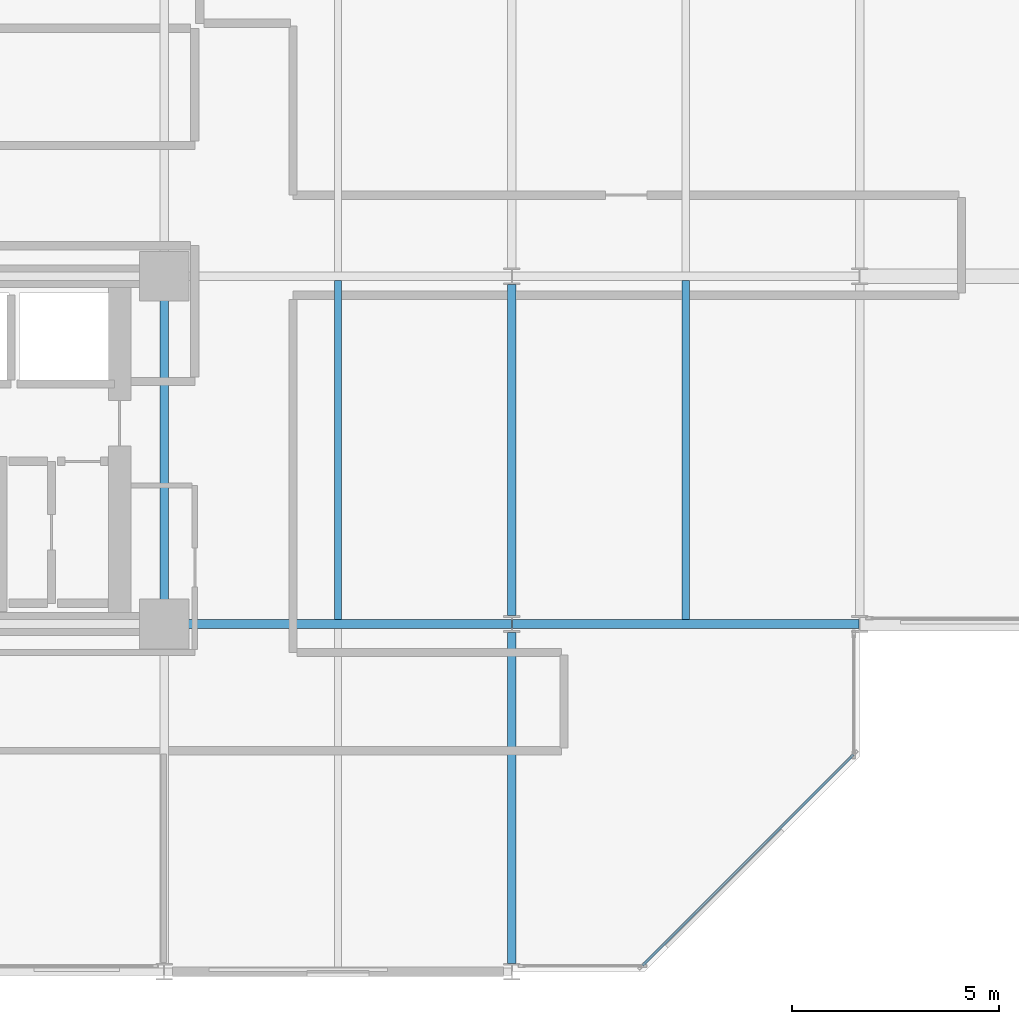
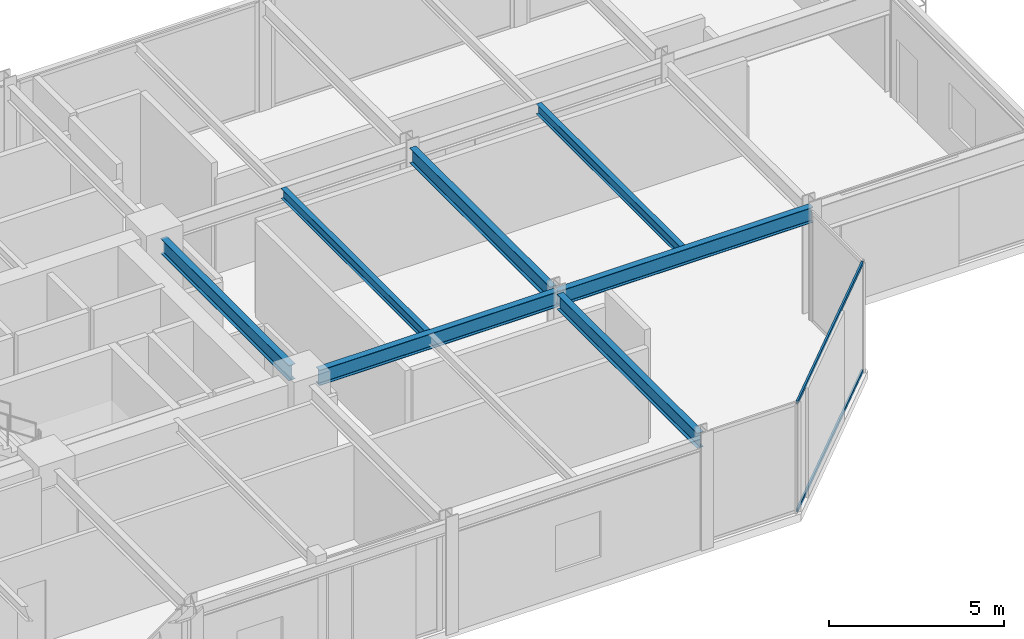
# One storey, part 17 of 38: 7 beams, 2 members, 1 element without a shape of its own.
"""IFC4 building model written with IfcOpenShell, lengths in metres."""

from ifc_helpers import new_model, si_unit, direction, frame, origin, origin_2d, place, context, subcontext, project, spatial, hollow_rectangle, i_section, extrude, material, layer, layer_set, material_profile, profile_set, type_object, element, aggregate, save


model = new_model("IFC4")

# Units and contexts
model_context = context("Model", 3, precision=1e-05, world=origin(), true_north=direction((0.0, 1.0)))
body_context = subcontext(model_context, "Body", "Model", "MODEL_VIEW")
ifc_project = project(units=[si_unit("LENGTHUNIT", "METRE"), si_unit("AREAUNIT", "SQUARE_METRE"), si_unit("VOLUMEUNIT", "CUBIC_METRE"), si_unit("PLANEANGLEUNIT", "RADIAN"), si_unit("MASSUNIT", "GRAM", prefix="KILO")], contexts=[model_context])

# Site, building, storey
site_placement = place(None, origin())
site = spatial("IfcSite", under=ifc_project, at=site_placement, CompositionType="ELEMENT")
building_placement = place(site_placement, origin())
building = spatial("IfcBuilding", under=site, at=building_placement, Name="Nerrivon Quay Data Exchange", CompositionType="ELEMENT")
storey_placement = place(building_placement, frame((0.0, 0.0, 100.800048828125)))
storey = spatial("IfcBuildingStorey", under=building, at=storey_placement, Name="L23", CompositionType="ELEMENT", Elevation=100.800048828125)

# Beams
ifc_material_1 = material(Name="Steel Grade 350", Category="steel")
ifc_material_profile_1 = material_profile(ifc_material_1, i_section(OverallWidth=0.208984375, OverallDepth=0.532958984375, WebThickness=0.01025390625, FlangeThickness=0.015625, FilletRadius=0.013916015625, at=origin_2d()), Name="530UB92.4")
ifc_profile_set_1 = profile_set([ifc_material_profile_1], Name="Steel Grade 350")
beam_type_1 = type_object("IfcBeamType", Name="BM-G3-530UB92", PredefinedType="BEAM", material=ifc_profile_set_1)
beam_1_placement = place(storey_placement, frame((34.139892578125, 8.39990234375, 3.558349609375), z_axis=(1.0, 0.0, 0.0), x_axis=(0.0, 1.0, 0.0)))
element("IfcBeam", 1, at=beam_1_placement, inside=storey, type_object=beam_type_1, Name="L23 EW Girder Y=8.4 (33.6..42.0)", PredefinedType="BEAM", context=body_context, shape_type="SweptSolid", body=[
    extrude(i_section(OverallWidth=0.208984375, OverallDepth=0.532958984375, WebThickness=0.01025390625, FlangeThickness=0.015625, FilletRadius=0.013916015625, at=origin_2d()), origin(), (0.0, 0.0, 1.0), 7.84765625),
])
beam_2_placement = place(storey_placement, frame((42.012451171875, 8.39990234375, 3.558349609375), z_axis=(1.0, 0.0, 0.0), x_axis=(0.0, 1.0, 0.0)))
element("IfcBeam", 2, at=beam_2_placement, inside=storey, type_object=beam_type_1, Name="L23 EW Girder Y=8.4 (42.0..50.4)", PredefinedType="BEAM", context=body_context, shape_type="SweptSolid", body=[
    extrude(i_section(OverallWidth=0.208984375, OverallDepth=0.532958984375, WebThickness=0.01025390625, FlangeThickness=0.015625, FilletRadius=0.013916015625, at=origin_2d()), origin(), (0.0, 0.0, 1.0), 8.375),
])
ifc_material_profile_2 = material_profile(ifc_material_1, i_section(OverallWidth=0.208984375, OverallDepth=0.528076171875, WebThickness=0.009521484375, FlangeThickness=0.01318359375, FilletRadius=0.013916015625, at=origin_2d()), Name="530UB82.0")
ifc_profile_set_2 = profile_set([ifc_material_profile_2], Name="Steel Grade 350")
beam_type_2 = type_object("IfcBeamType", Name="BM-G4-530UB82", PredefinedType="BEAM", material=ifc_profile_set_2)
beam_3_placement = place(storey_placement, frame((33.60009765625, 8.93994140625, 3.56103515625), z_axis=(0.0, 1.0, 0.0), x_axis=(-1.0, 0.0, 0.0)))
element("IfcBeam", 3, at=beam_3_placement, inside=storey, type_object=beam_type_2, Name="L23 NS Girder X=33.6 (8.4..16.8)", PredefinedType="BEAM", context=body_context, shape_type="SweptSolid", body=[
    extrude(i_section(OverallWidth=0.208984375, OverallDepth=0.528076171875, WebThickness=0.009521484375, FlangeThickness=0.01318359375, FilletRadius=0.013916015625, at=origin_2d()), origin(), (0.0, 0.0, 1.0), 7.320068359375),
])
for number, where, z_axis, x_axis, name in (
    (4, (42.0, 0.199951171875, 3.56103515625), (0.0, 1.0, 0.0), (-1.0, 0.0, 0.0), "L23 NS Girder X=42.0 (0.0..8.4)"),
    (5, (42.0, 8.60009765625, 3.56103515625), (0.0, 1.0, 0.0), (-1.0, 0.0, 0.0), "L23 NS Girder X=42.0 (8.4..16.8)"),
):
    element("IfcBeam", number, at=place(storey_placement, frame(where, z_axis=z_axis, x_axis=x_axis)), inside=storey, type_object=beam_type_2, Name=name, PredefinedType="BEAM", context=body_context, shape_type="SweptSolid", body=[
        extrude(i_section(OverallWidth=0.208984375, OverallDepth=0.528076171875, WebThickness=0.009521484375, FlangeThickness=0.01318359375, FilletRadius=0.013916015625, at=origin_2d()), origin(), (0.0, 0.0, 1.0), 8.0),
    ])
ifc_material_profile_3 = material_profile(ifc_material_1, i_section(OverallWidth=0.1708984375, OverallDepth=0.35595703125, WebThickness=0.00732421875, FlangeThickness=0.011474609375, FilletRadius=0.011474609375, at=origin_2d()), Name="360UB50.7")
ifc_profile_set_3 = profile_set([ifc_material_profile_3], Name="Steel Grade 350")
beam_type_3 = type_object("IfcBeamType", Name="BM-J4-360UB51", PredefinedType="JOIST", material=ifc_profile_set_3)
for number, where, z_axis, x_axis, name in (
    (6, (37.800048828125, 8.50439453125, 3.64697265625), (0.0, 1.0, 0.0), (-1.0, 0.0, 0.0), "L23 Secondary Joist X=37.8 (8.4..16.8)"),
    (7, (46.199951171875, 8.50439453125, 3.64697265625), (0.0, 1.0, 0.0), (-1.0, 0.0, 0.0), "L23 Secondary Joist X=46.2 (8.4..16.8)"),
):
    element("IfcBeam", number, at=place(storey_placement, frame(where, z_axis=z_axis, x_axis=x_axis)), inside=storey, type_object=beam_type_3, Name=name, PredefinedType="JOIST", context=body_context, shape_type="SweptSolid", body=[
        extrude(i_section(OverallWidth=0.1708984375, OverallDepth=0.35595703125, WebThickness=0.00732421875, FlangeThickness=0.011474609375, FilletRadius=0.011474609375, at=origin_2d()), origin(), (0.0, 0.0, 1.0), 8.191162109375),
    ])

# Curtain wall, members
ifc_material_2 = material(Name="Anodised aluminium 6063-T6", Category="aluminium")
ifc_layer = layer(ifc_material_2, 0.2099609375)
ifc_layer_set = layer_set([ifc_layer], Name="Anodised aluminium 6063-T6")
curtain_wall_type = type_object("IfcCurtainWallType", Name="CW-SYS-02", PredefinedType="NOTDEFINED", material=ifc_layer_set)
curtain_wall_placement = place(storey_placement, origin())
curtain_wall = element("IfcCurtainWall", 8, at=curtain_wall_placement, inside=storey, type_object=curtain_wall_type, Name="L23 Unitised Curtain Wall 5", PredefinedType="NOTDEFINED")
ifc_material_profile_4 = material_profile(ifc_material_2, hollow_rectangle(XDim=0.06005859375, YDim=0.1201171875, WallThickness=0.003173828125, at=origin_2d()), Name="ALU-TRAN-120x60")
ifc_profile_set_4 = profile_set([ifc_material_profile_4], Name="Anodised aluminium 6063-T6")
member_type = type_object("IfcMemberType", Name="CWT-120x60", PredefinedType="USERDEFINED", material=ifc_profile_set_4)
member_1_placement = place(storey_placement, frame((50.248046875, 5.245849609375, 0.032470703125), z_axis=(-0.707123726196, -0.707089835771, 0.0), x_axis=(0.707089835771, -0.707123726196, 0.0)))
member_1 = element("IfcMember", 9, at=member_1_placement, type_object=member_type, Name="CW02 transom 1.1", ObjectType="TRANSOM", PredefinedType="USERDEFINED", context=body_context, shape_type="SweptSolid", body=[
    extrude(hollow_rectangle(XDim=0.06005859375, YDim=0.1201171875, WallThickness=0.003173828125, at=origin_2d()), origin(), (0.0, 0.0, 1.0), 7.203857421875),
])
member_2_placement = place(storey_placement, frame((50.248046875, 5.245849609375, 3.79248046875), z_axis=(-0.707123726196, -0.707089835771, 0.0), x_axis=(0.707089835771, -0.707123726196, 0.0)))
member_2 = element("IfcMember", 10, at=member_2_placement, type_object=member_type, Name="CW02 transom 1.2", ObjectType="TRANSOM", PredefinedType="USERDEFINED", context=body_context, shape_type="SweptSolid", body=[
    extrude(hollow_rectangle(XDim=0.06005859375, YDim=0.1201171875, WallThickness=0.003173828125, at=origin_2d()), origin(), (0.0, 0.0, 1.0), 7.203857421875),
])
aggregate(curtain_wall, [member_1, member_2])

save(model, "model.ifc")
